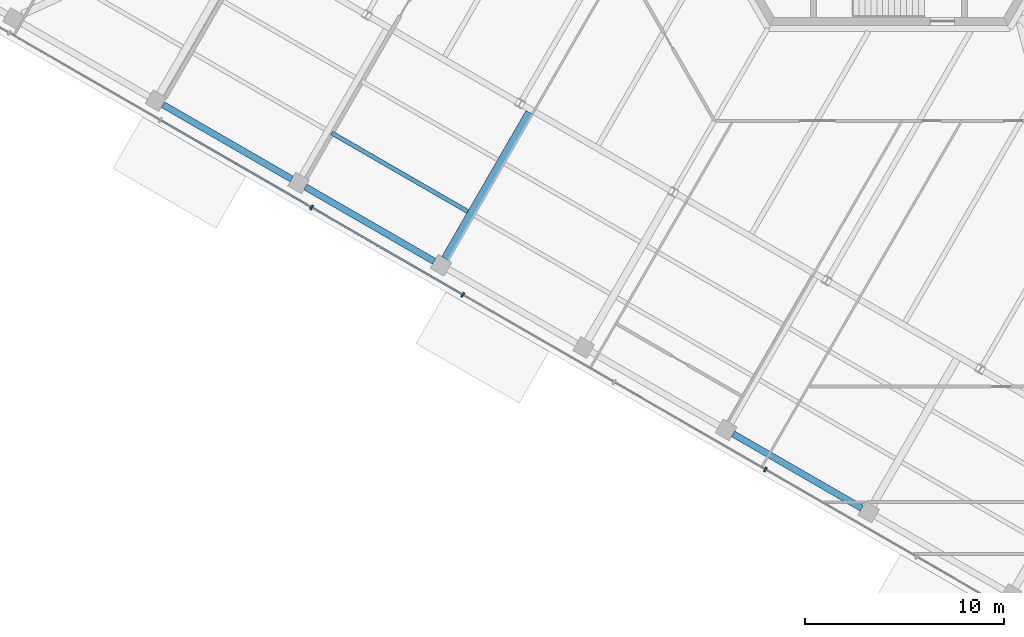
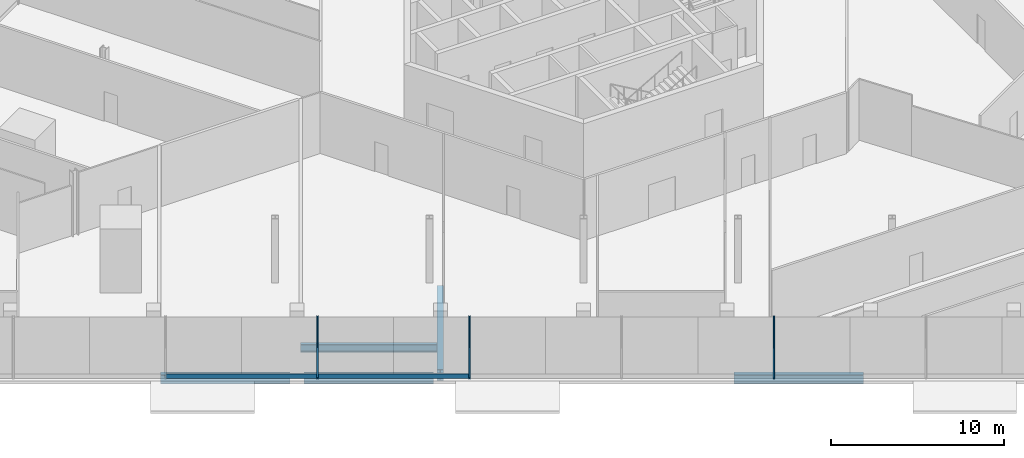
# One storey, part 5 of 27: 5 beams, 5 members, 1 element without a shape of its own.
"""IFC4 building model written with IfcOpenShell, lengths in metres."""

from ifc_helpers import new_model, si_unit, direction, frame, origin, origin_2d, place, context, subcontext, project, spatial, rectangle, i_section, extrude, source, transform, mapped, material, material_profile, profile_set, type_object, element, aggregate, save


model = new_model("IFC4")

# Units and contexts
model_context = context("Model", 3, precision=1e-05, world=origin(), true_north=direction((0.0, 1.0)))
body_context = subcontext(model_context, "Body", "Model", "MODEL_VIEW")
ifc_project = project(units=[si_unit("LENGTHUNIT", "METRE"), si_unit("AREAUNIT", "SQUARE_METRE"), si_unit("VOLUMEUNIT", "CUBIC_METRE"), si_unit("PLANEANGLEUNIT", "RADIAN"), si_unit("MASSUNIT", "GRAM", prefix="KILO")], contexts=[model_context])

# Site, building, storey
site_placement = place(None, origin())
site = spatial("IfcSite", under=ifc_project, at=site_placement, CompositionType="ELEMENT")
building_placement = place(site_placement, origin())
building = spatial("IfcBuilding", under=site, at=building_placement, Name="Triune Harvest Tower", CompositionType="ELEMENT")
storey_placement = place(building_placement, frame((0.0, 0.0, 7.0)))
storey = spatial("IfcBuildingStorey", under=building, at=storey_placement, Name="L01", CompositionType="ELEMENT", Elevation=7.0)

# Beams
ifc_material_1 = material(Name="Steel ASTM A992 Gr 50", Category="steel")
ifc_material_profile_1 = material_profile(ifc_material_1, i_section(OverallWidth=0.32763671875, OverallDepth=0.62744140625, WebThickness=0.0166015625, FlangeThickness=0.027587890625, at=origin_2d()), Name="W24x146")
ifc_profile_set_1 = profile_set([ifc_material_profile_1], Name="Steel ASTM A992 Gr 50")
beam_type_1 = type_object("IfcBeamType", Name="PD-4 Podium edge beam W24x146", PredefinedType="BEAM", material=ifc_profile_set_1)
shared_shape_1 = source(origin(), body_context, "Body", "SweptSolid", [
    extrude(i_section(OverallWidth=0.32763671875, OverallDepth=0.62744140625, WebThickness=0.0166015625, FlangeThickness=0.027587890625, at=origin_2d()), origin(), (0.0, 0.0, 1.0), 7.47998046875),
])
beam_1_placement = place(storey_placement, frame((-36.523193359375, -14.3798828125, -0.513671875), z_axis=(0.866008933936, -0.50002852553, 0.0), x_axis=(0.50002852553, 0.866008933936, 0.0)))
element("IfcBeam", 1, at=beam_1_placement, inside=storey, type_object=beam_type_1, Name="beam/L01/PE28", PredefinedType="BEAM", context=body_context, shape_type="MappedRepresentation", body=[
    mapped(shared_shape_1, transform((0.0, 0.0, 0.0), scale=1.0)),
])
shared_shape_2 = source(origin(), body_context, "Body", "SweptSolid", [
    extrude(i_section(OverallWidth=0.32763671875, OverallDepth=0.62744140625, WebThickness=0.0166015625, FlangeThickness=0.027587890625, at=origin_2d()), origin(), (0.0, 0.0, 1.0), 7.480224609375),
])
for number, where, z_axis, x_axis, name in (
    (2, (-29.3525390625, -18.52001953125, -0.513671875), (0.866031227086, -0.49998991361, 0.0), (0.49998991361, 0.866031227086, 0.0), "beam/L01/PE29"),
    (3, (-7.840576171875, -30.93994140625, -0.513671875), (0.866031227086, -0.49998991361, 0.0), (0.49998991361, 0.866031227086, 0.0), "beam/L01/PE32"),
):
    element("IfcBeam", number, at=place(storey_placement, frame(where, z_axis=z_axis, x_axis=x_axis)), inside=storey, type_object=beam_type_1, Name=name, PredefinedType="BEAM", context=body_context, shape_type="MappedRepresentation", body=[
        mapped(shared_shape_2, transform((0.0, 0.0, 0.0), scale=1.0)),
    ])
ifc_material_2 = material(Name="Steel ASTM A992 Gr 50", Category="steel")
ifc_material_profile_2 = material_profile(ifc_material_2, i_section(OverallWidth=0.381103515625, OverallDepth=0.772216796875, WebThickness=0.0166015625, FlangeThickness=0.027099609375, at=origin_2d()), Name="W30x173")
ifc_profile_set_2 = profile_set([ifc_material_profile_2], Name="Steel ASTM A992 Gr 50")
beam_type_2 = type_object("IfcBeamType", Name="PD-3 Podium girder W30x173", PredefinedType="BEAM", material=ifc_profile_set_2)
shared_shape_3 = source(origin(), body_context, "Body", "SweptSolid", [
    extrude(i_section(OverallWidth=0.381103515625, OverallDepth=0.772216796875, WebThickness=0.0166015625, FlangeThickness=0.027099609375, at=origin_2d()), origin(), (0.0, 0.0, 1.0), 8.48046875),
])
beam_2_placement = place(storey_placement, frame((-22.328125, -22.113525390625, -0.586181640625), z_axis=(0.500003221507, 0.866023543838, 0.0), x_axis=(-0.866023543838, 0.500003221507, 0.0)))
element("IfcBeam", 4, at=beam_2_placement, inside=storey, type_object=beam_type_2, Name="beam/L01/PR32", PredefinedType="BEAM", context=body_context, shape_type="MappedRepresentation", body=[
    mapped(shared_shape_3, transform((0.0, 0.0, 0.0), scale=1.0)),
])
ifc_material_3 = material(Name="Steel ASTM A992 Gr 50", Category="steel")
ifc_material_profile_3 = material_profile(ifc_material_3, i_section(OverallWidth=0.2138671875, OverallDepth=0.548583984375, WebThickness=0.0146484375, FlangeThickness=0.023681640625, at=origin_2d()), Name="W21x93")
ifc_profile_set_3 = profile_set([ifc_material_profile_3], Name="Steel ASTM A992 Gr 50")
beam_type_3 = type_object("IfcBeamType", Name="PD-5 Podium joist W21x93", PredefinedType="JOIST", material=ifc_profile_set_3)
shared_shape_4 = source(origin(), body_context, "Body", "SweptSolid", [
    extrude(i_section(OverallWidth=0.2138671875, OverallDepth=0.548583984375, WebThickness=0.0146484375, FlangeThickness=0.023681640625, at=origin_2d()), origin(), (0.0, 0.0, 1.0), 7.899169921875),
])
beam_3_placement = place(storey_placement, frame((-28.028076171875, -15.806884765625, -0.474365234375), z_axis=(0.866030148722, -0.499991781437, 0.0), x_axis=(0.499991781437, 0.866030148722, 0.0)))
element("IfcBeam", 5, at=beam_3_placement, inside=storey, type_object=beam_type_3, Name="beam/L01/PJ63", PredefinedType="JOIST", context=body_context, shape_type="MappedRepresentation", body=[
    mapped(shared_shape_4, transform((0.0, 0.0, 0.0), scale=1.0)),
])

# Curtain wall, members
ifc_material_4 = material(Name="Aluminium bronze anodised", Category="aluminium")
curtain_wall_type = type_object("IfcCurtainWallType", Name="CW-2 Podium shopfront wall", PredefinedType="NOTDEFINED", material=ifc_material_4)
curtain_wall_placement = place(storey_placement, origin())
curtain_wall = element("IfcCurtainWall", 6, at=curtain_wall_placement, inside=storey, type_object=curtain_wall_type, Name="CW-2 PD-F5 L01 run 1")
ifc_material_5 = material(Name="Aluminium bronze anodised", Category="aluminium")
ifc_material_profile_4 = material_profile(ifc_material_5, rectangle(XDim=0.25, YDim=0.090087890625, at=origin_2d()), Name="MU-2 mullion 90 x 250")
ifc_profile_set_4 = profile_set([ifc_material_profile_4], Name="Aluminium bronze anodised")
member_type_1 = type_object("IfcMemberType", Name="MU-2 mullion 90 x 250", PredefinedType="MULLION", material=ifc_profile_set_4)
shared_shape_5 = source(origin(), body_context, "Body", "SweptSolid", [
    extrude(rectangle(XDim=0.25, YDim=0.090087890625, at=origin_2d()), origin(), (0.0, 0.0, 1.0), 4.300048828125),
])
member_1_placement = place(storey_placement, frame((-29.043701171875, -19.5517578125, 0.0), z_axis=(0.0, 0.0, 1.0), x_axis=(0.500000221117, 0.866025276122, 0.0)))
member_1 = element("IfcMember", 7, at=member_1_placement, type_object=member_type_1, Name="CW-2 mullion PD-F5 1.7", PredefinedType="MULLION", context=body_context, shape_type="MappedRepresentation", body=[
    mapped(shared_shape_5, transform((0.0, 0.0, 0.0), scale=1.0)),
])
member_2_placement = place(storey_placement, frame((-21.434326171875, -23.945068359375, 0.0), z_axis=(0.0, 0.0, 1.0), x_axis=(0.500000221117, 0.866025276122, 0.0)))
member_2 = element("IfcMember", 8, at=member_2_placement, type_object=member_type_1, Name="CW-2 mullion PD-F5 1.9", PredefinedType="MULLION", context=body_context, shape_type="MappedRepresentation", body=[
    mapped(shared_shape_5, transform((0.0, 0.0, 0.0), scale=1.0)),
])
member_3_placement = place(storey_placement, frame((-6.21533203125, -32.73193359375, 0.0), z_axis=(0.0, 0.0, 1.0), x_axis=(0.500000221117, 0.866025276122, 0.0)))
member_3 = element("IfcMember", 9, at=member_3_placement, type_object=member_type_1, Name="CW-2 mullion PD-F5 1.13", PredefinedType="MULLION", context=body_context, shape_type="MappedRepresentation", body=[
    mapped(shared_shape_5, transform((0.0, 0.0, 0.0), scale=1.0)),
])
ifc_material_6 = material(Name="Aluminium bronze anodised", Category="aluminium")
ifc_material_profile_5 = material_profile(ifc_material_6, rectangle(XDim=0.10009765625, YDim=0.300048828125, at=origin_2d()), Name="TR-2 transom 100 x 300")
ifc_profile_set_5 = profile_set([ifc_material_profile_5], Name="Aluminium bronze anodised")
member_type_2 = type_object("IfcMemberType", Name="TR-2 transom 100 x 300", PredefinedType="USERDEFINED", material=ifc_profile_set_5)
shared_shape_6 = source(origin(), body_context, "Body", "SweptSolid", [
    extrude(rectangle(XDim=0.10009765625, YDim=0.300048828125, at=origin_2d()), origin(), (0.0, 0.0, 1.0), 8.69677734375),
])
member_4_placement = place(storey_placement, frame((-36.6142578125, -15.180908203125, 0.14990234375), z_axis=(0.86602149507, -0.500006770031, 0.0), x_axis=(0.500006770031, 0.86602149507, 0.0)))
member_4 = element("IfcMember", 10, at=member_4_placement, type_object=member_type_2, Name="CW-2 transom PD-F5 1.3", ObjectType="TRANSOM", PredefinedType="USERDEFINED", context=body_context, shape_type="MappedRepresentation", body=[
    mapped(shared_shape_6, transform((0.0, 0.0, 0.0), scale=1.0)),
])
member_5_placement = place(storey_placement, frame((-29.0048828125, -19.574462890625, 0.14990234375), z_axis=(0.866040668696, -0.499973559465, 0.0), x_axis=(0.499973559465, 0.866040668696, 0.0)))
member_5 = element("IfcMember", 11, at=member_5_placement, type_object=member_type_2, Name="CW-2 transom PD-F5 1.4", ObjectType="TRANSOM", PredefinedType="USERDEFINED", context=body_context, shape_type="MappedRepresentation", body=[
    mapped(shared_shape_6, transform((0.0, 0.0, 0.0), scale=1.0)),
])
aggregate(curtain_wall, [member_1, member_2, member_3, member_4, member_5])

save(model, "model.ifc")
